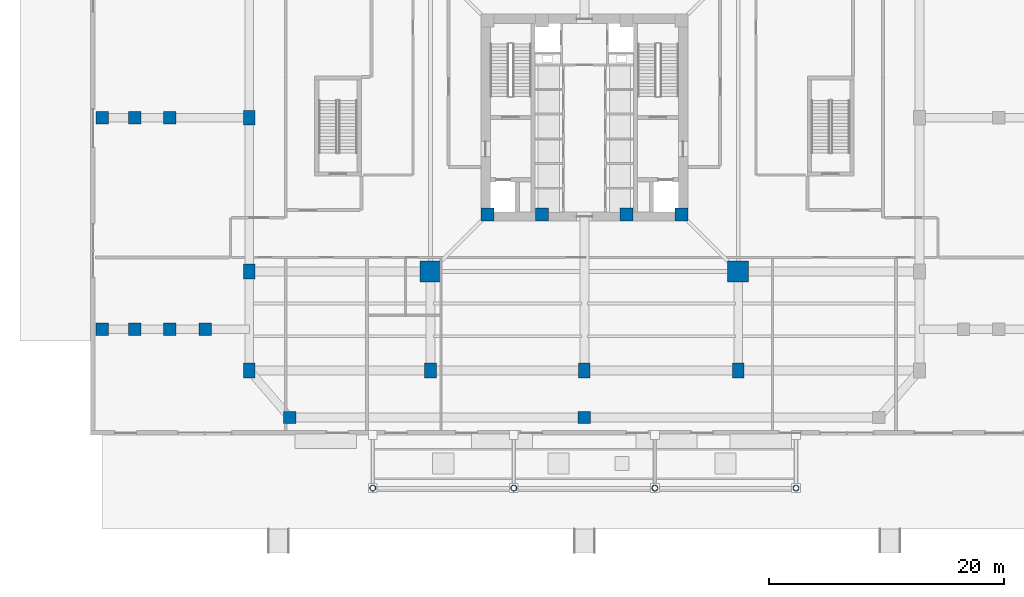
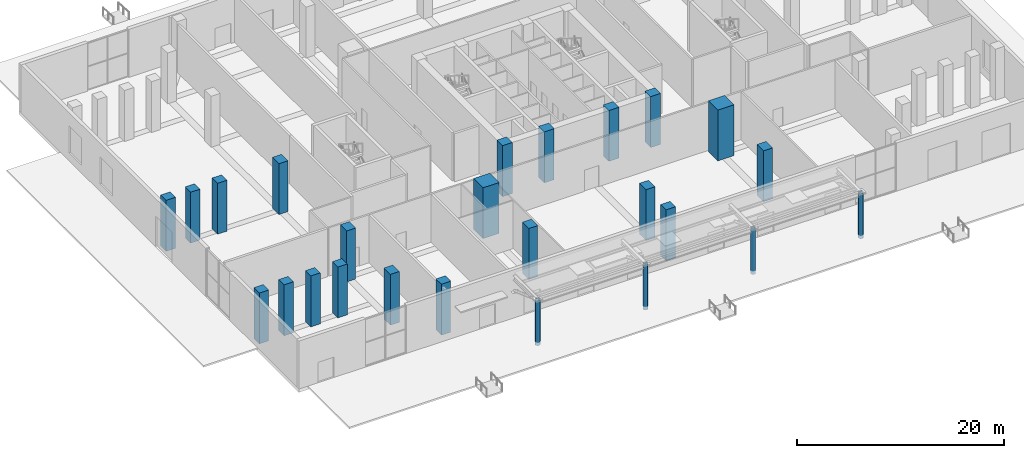
# One storey, part 1 of 25: 25 columns.
"""IFC4 building model written with IfcOpenShell, lengths in metres."""

from ifc_helpers import new_model, si_unit, direction, frame, origin, origin_2d, place, context, subcontext, project, spatial, rectangle, hollow_circle, extrude, source, transform, mapped, material, material_profile, profile_set, type_object, element, save


model = new_model("IFC4")

# Units and contexts
model_context = context("Model", 3, precision=1e-05, world=origin(), true_north=direction((0.0, 1.0)))
body_context = subcontext(model_context, "Body", "Model", "MODEL_VIEW")
ifc_project = project(units=[si_unit("LENGTHUNIT", "METRE"), si_unit("AREAUNIT", "SQUARE_METRE"), si_unit("VOLUMEUNIT", "CUBIC_METRE"), si_unit("PLANEANGLEUNIT", "RADIAN"), si_unit("MASSUNIT", "GRAM", prefix="KILO"), si_unit("THERMODYNAMICTEMPERATUREUNIT", "KELVIN")], contexts=[model_context])

# Site, building, storey
site_placement = place(None, origin())
site = spatial("IfcSite", under=ifc_project, at=site_placement, CompositionType="ELEMENT")
building_placement = place(site_placement, origin())
building = spatial("IfcBuilding", under=site, at=building_placement, Name="Kosmvard Interchange Tower", CompositionType="ELEMENT")
storey_placement = place(building_placement, origin())
storey = spatial("IfcBuildingStorey", under=building, at=storey_placement, Name="L00", CompositionType="ELEMENT", Elevation=0.0)

# Columns
ifc_material_1 = material(Name="Concrete C80/95", Category="concrete")
ifc_material_profile_1 = material_profile(ifc_material_1, rectangle(XDim=1.10009765625, YDim=1.10009765625, at=origin_2d()), Name="CP 1100x1100")
ifc_profile_set_1 = profile_set([ifc_material_profile_1], Name="Concrete C80/95")
column_type_1 = type_object("IfcColumnType", Name="Core Boundary Pilaster 1100x1100 C80/95", PredefinedType="PILASTER", material=ifc_profile_set_1)
shared_shape_1 = source(origin(), body_context, "Body", "SweptSolid", [
    extrude(rectangle(XDim=1.10009765625, YDim=1.10009765625, at=origin_2d()), origin(), (0.0, 0.0, 1.0), 6.0),
])
for number, where, z_axis, x_axis, name in (
    (1, (-8.25, -8.25, 0.0), (0.0, 0.0, 1.0), (1.0, 0.0, 0.0), "L00 Core Pilaster CP1"),
    (2, (8.25, -8.25, 0.0), (0.0, 0.0, 1.0), (1.0, 0.0, 0.0), "L00 Core Pilaster CP2"),
    (3, (-3.60009765625, -8.25, 0.0), (0.0, 0.0, 1.0), (1.0, 0.0, 0.0), "L00 Core Pilaster CP5"),
    (4, (3.60009765625, -8.25, 0.0), (0.0, 0.0, 1.0), (1.0, 0.0, 0.0), "L00 Core Pilaster CP6"),
):
    element("IfcColumn", number, at=place(storey_placement, frame(where, z_axis=z_axis, x_axis=x_axis)), inside=storey, type_object=column_type_1, Name=name, PredefinedType="PILASTER", context=body_context, shape_type="MappedRepresentation", body=[
        mapped(shared_shape_1, transform((0.0, 0.0, 0.0), scale=1.0)),
    ])
ifc_material_profile_2 = material_profile(ifc_material_1, rectangle(XDim=1.800048828125, YDim=1.800048828125, at=origin_2d()), Name="MC 1800x1800")
ifc_profile_set_2 = profile_set([ifc_material_profile_2], Name="Concrete C80/95")
column_type_2 = type_object("IfcColumnType", Name="Composite Mega-Column 1800x1800 C80/95", PredefinedType="COLUMN", material=ifc_profile_set_2)
shared_shape_2 = source(origin(), body_context, "Body", "SweptSolid", [
    extrude(rectangle(XDim=1.800048828125, YDim=1.800048828125, at=origin_2d()), origin(), (0.0, 0.0, 1.0), 6.0),
])
for number, where, z_axis, x_axis, name in (
    (5, (-13.0810546875, -13.0810546875, 0.0), (0.0, 0.0, 1.0), (1.0, 0.0, 0.0), "L00 Corner Mega-Column MC1"),
    (6, (13.0810546875, -13.0810546875, 0.0), (0.0, 0.0, 1.0), (1.0, 0.0, 0.0), "L00 Corner Mega-Column MC2"),
):
    element("IfcColumn", number, at=place(storey_placement, frame(where, z_axis=z_axis, x_axis=x_axis)), inside=storey, type_object=column_type_2, Name=name, PredefinedType="COLUMN", context=body_context, shape_type="MappedRepresentation", body=[
        mapped(shared_shape_2, transform((0.0, 0.0, 0.0), scale=1.0)),
    ])
ifc_material_2 = material(Name="Concrete C60/75", Category="concrete")
ifc_material_profile_3 = material_profile(ifc_material_2, rectangle(XDim=1.0, YDim=1.25, at=origin_2d()), Name="PC 1250x1000")
ifc_profile_set_3 = profile_set([ifc_material_profile_3], Name="Concrete C60/75")
column_type_3 = type_object("IfcColumnType", Name="Podium Concourse Column 1250x1000 C60/75", PredefinedType="COLUMN", material=ifc_profile_set_3)
shared_shape_3 = source(origin(), body_context, "Body", "SweptSolid", [
    extrude(rectangle(XDim=1.0, YDim=1.25, at=origin_2d()), origin(), (0.0, 0.0, 1.0), 6.0),
])
for number, where, z_axis, x_axis, name in (
    (7, (-28.5, -21.5, 0.0), (0.0, 0.0, 1.0), (1.0, 0.0, 0.0), "L00 Podium Column PC-S1"),
    (8, (-13.0810546875, -21.5, 0.0), (0.0, 0.0, 1.0), (1.0, 0.0, 0.0), "L00 Podium Column PC-S2"),
    (9, (0.0, -21.5, 0.0), (0.0, 0.0, 1.0), (1.0, 0.0, 0.0), "L00 Podium Column PC-S3"),
    (10, (13.0810546875, -21.5, 0.0), (0.0, 0.0, 1.0), (1.0, 0.0, 0.0), "L00 Podium Column PC-S4"),
    (11, (-28.5, -13.0810546875, 0.0), (0.0, 0.0, 1.0), (1.0, 0.0, 0.0), "L00 Podium Column PC-W1"),
    (12, (-28.5, 0.0, 0.0), (0.0, 0.0, 1.0), (1.0, 0.0, 0.0), "L00 Podium Column PC-W2"),
):
    element("IfcColumn", number, at=place(storey_placement, frame(where, z_axis=z_axis, x_axis=x_axis)), inside=storey, type_object=column_type_3, Name=name, PredefinedType="COLUMN", context=body_context, shape_type="MappedRepresentation", body=[
        mapped(shared_shape_3, transform((0.0, 0.0, 0.0), scale=1.0)),
    ])
ifc_material_profile_4 = material_profile(ifc_material_2, rectangle(XDim=1.050048828125, YDim=1.050048828125, at=origin_2d()), Name="PC 1050x1050")
ifc_profile_set_4 = profile_set([ifc_material_profile_4], Name="Concrete C60/75")
column_type_4 = type_object("IfcColumnType", Name="Podium Perimeter Column 1050x1050 C60/75", PredefinedType="COLUMN", material=ifc_profile_set_4)
shared_shape_4 = source(origin(), body_context, "Body", "SweptSolid", [
    extrude(rectangle(XDim=1.050048828125, YDim=1.050048828125, at=origin_2d()), origin(), (0.0, 0.0, 1.0), 6.0),
])
for number, where, z_axis, x_axis, name in (
    (13, (-25.050048828125, -25.5, 0.0), (0.0, 0.0, 1.0), (1.0, 0.0, 0.0), "L00 Podium Column PC-TS1"),
    (14, (0.0, -25.5, 0.0), (0.0, 0.0, 1.0), (1.0, 0.0, 0.0), "L00 Podium Column PC-TS2"),
    (15, (-32.25, -18.0, 0.0), (0.0, 0.0, 1.0), (1.0, 0.0, 0.0), "L00 Podium Column PC-TW3"),
    (16, (-35.25, -18.0, 0.0), (0.0, 0.0, 1.0), (1.0, 0.0, 0.0), "L00 Podium Column PC-TW2"),
    (17, (-35.25, 0.0, 0.0), (0.0, 0.0, 1.0), (1.0, 0.0, 0.0), "L00 Podium Column PC-TW5"),
    (18, (-38.25, -18.0, 0.0), (0.0, 0.0, 1.0), (1.0, 0.0, 0.0), "L00 Podium Column PC-TW1"),
    (19, (-38.25, 0.0, 0.0), (0.0, 0.0, 1.0), (1.0, 0.0, 0.0), "L00 Podium Column PC-TW7"),
    (20, (-41.0, -18.0, 0.0), (0.0, 0.0, 1.0), (1.0, 0.0, 0.0), "L00 Podium Column PC-BW1"),
    (21, (-41.0, 0.0, 0.0), (0.0, 0.0, 1.0), (1.0, 0.0, 0.0), "L00 Podium Column PC-BW2"),
):
    element("IfcColumn", number, at=place(storey_placement, frame(where, z_axis=z_axis, x_axis=x_axis)), inside=storey, type_object=column_type_4, Name=name, PredefinedType="COLUMN", context=body_context, shape_type="MappedRepresentation", body=[
        mapped(shared_shape_4, transform((0.0, 0.0, 0.0), scale=1.0)),
    ])
ifc_material_3 = material(Name="Steel S355", Category="steel")
ifc_material_profile_5 = material_profile(ifc_material_3, hollow_circle(Radius=0.25390625, WallThickness=0.02490234375, at=origin_2d()), Name="CHS 508x25")
ifc_profile_set_5 = profile_set([ifc_material_profile_5], Name="Steel S355")
column_type_5 = type_object("IfcColumnType", Name="Entrance Canopy Steel Column CHS 508x25 S355", PredefinedType="COLUMN", material=ifc_profile_set_5)
shared_shape_5 = source(origin(), body_context, "Body", "SweptSolid", [
    extrude(hollow_circle(Radius=0.25390625, WallThickness=0.02490234375, at=origin_2d()), origin(), (0.0, 0.0, 1.0), 5.389892578125),
])
for number, where, z_axis, x_axis, name in (
    (22, (-18.0, -31.5, -0.39990234375), (0.0, 0.0, 1.0), (1.0, 0.0, 0.0), "L00 Canopy Column S1"),
    (23, (-6.0, -31.5, -0.39990234375), (0.0, 0.0, 1.0), (1.0, 0.0, 0.0), "L00 Canopy Column S2"),
    (24, (6.0, -31.5, -0.39990234375), (0.0, 0.0, 1.0), (1.0, 0.0, 0.0), "L00 Canopy Column S3"),
    (25, (18.0, -31.5, -0.39990234375), (0.0, 0.0, 1.0), (1.0, 0.0, 0.0), "L00 Canopy Column S4"),
):
    element("IfcColumn", number, at=place(storey_placement, frame(where, z_axis=z_axis, x_axis=x_axis)), inside=storey, type_object=column_type_5, Name=name, PredefinedType="COLUMN", context=body_context, shape_type="MappedRepresentation", body=[
        mapped(shared_shape_5, transform((0.0, 0.0, 0.0), scale=1.0)),
    ])

save(model, "model.ifc")
